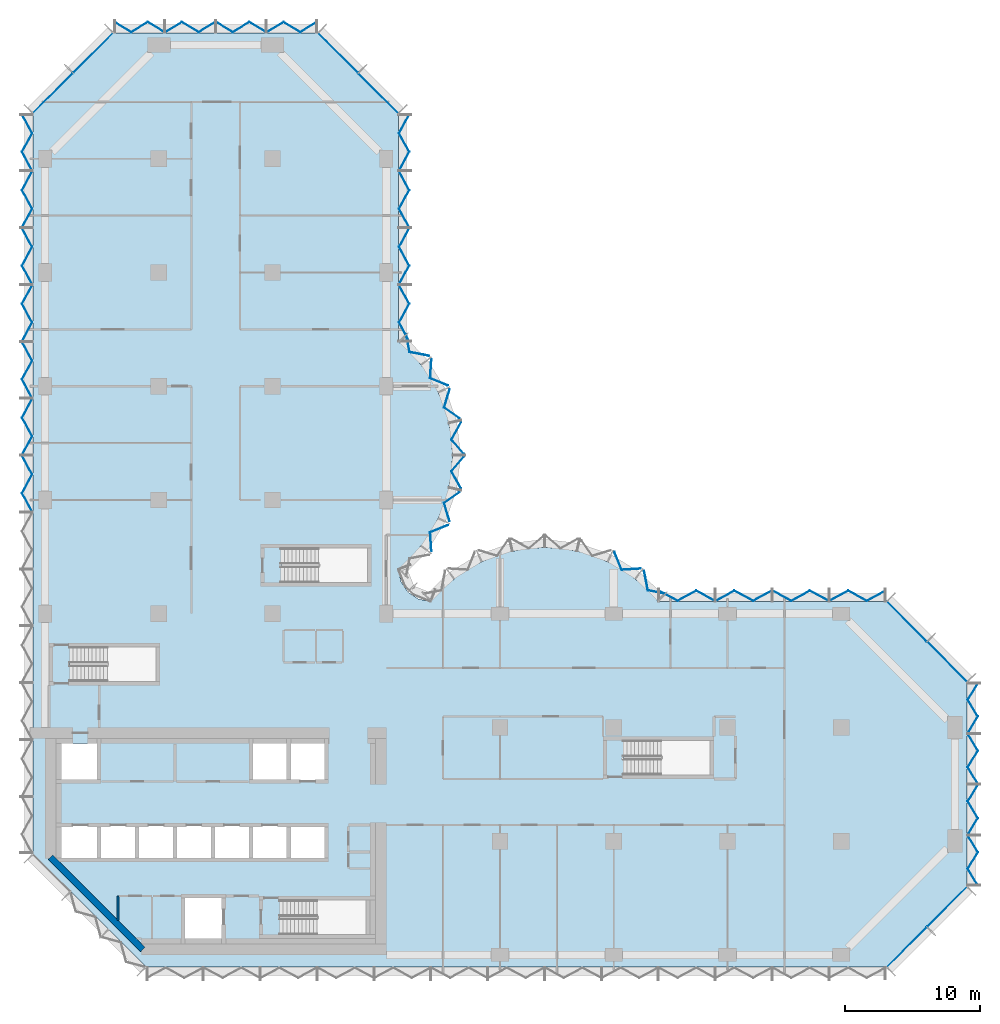
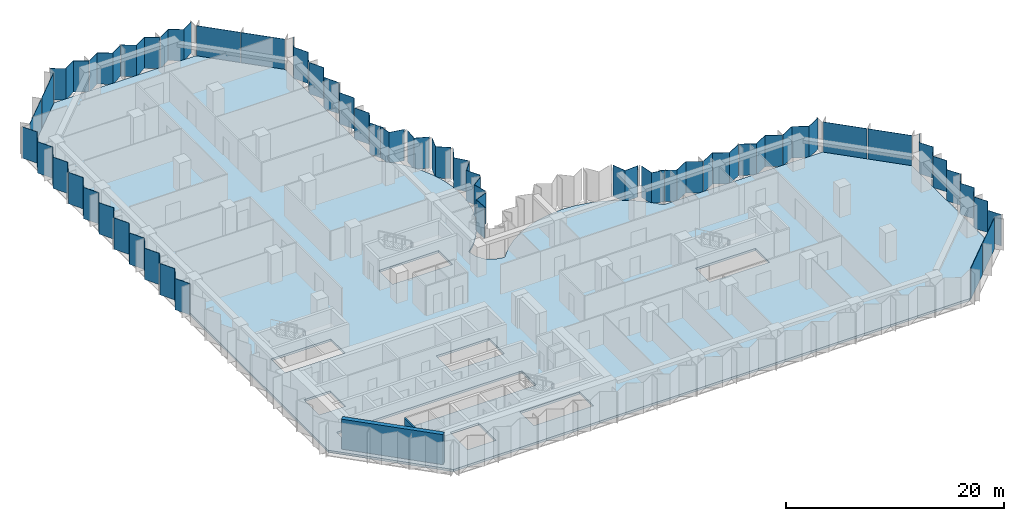
# One storey, part 6 of 13: 40 plates, 2 walls, 1 slab, 11 elements without a shape of their own.
"""IFC4 building model written with IfcOpenShell, lengths in metres."""

from ifc_helpers import new_model, si_unit, direction, frame, frame_2d, origin, place, context, subcontext, project, spatial, polyline, rectangle, outline, extrude, material, layer, layer_set, type_object, element, aggregate, save


model = new_model("IFC4")

# Units and contexts
model_context = context("Model", 3, precision=1e-05, world=origin(), true_north=direction((0.0, 1.0)))
body_context = subcontext(model_context, "Body", "Model", "MODEL_VIEW")
ifc_project = project(units=[si_unit("LENGTHUNIT", "METRE"), si_unit("AREAUNIT", "SQUARE_METRE"), si_unit("VOLUMEUNIT", "CUBIC_METRE"), si_unit("PLANEANGLEUNIT", "RADIAN"), si_unit("MASSUNIT", "GRAM", prefix="KILO")], contexts=[model_context])

# Site, building, storey
site_placement = place(None, origin())
site = spatial("IfcSite", under=ifc_project, at=site_placement, CompositionType="ELEMENT")
building_placement = place(site_placement, origin())
building = spatial("IfcBuilding", under=site, at=building_placement, Name="Brevane Broadcast Tower", CompositionType="ELEMENT")
storey_placement = place(building_placement, frame((0.0, 0.0, 124.10009765625)))
storey = spatial("IfcBuildingStorey", under=building, at=storey_placement, Name="L30", CompositionType="ELEMENT", Elevation=124.10009765625)

# Curtain wall, plates
ifc_material_1 = material(Name="Aluminium 6063-T6 bronze anodised", Category="aluminium")
curtain_wall_type = type_object("IfcCurtainWallType", Name="CW-1 curtain wall", PredefinedType="NOTDEFINED", material=ifc_material_1)
curtain_wall_1_placement = place(storey_placement, origin())
curtain_wall_1 = element("IfcCurtainWall", 1, at=curtain_wall_1_placement, inside=storey, type_object=curtain_wall_type, Name="CW-1 typical tilted unit L30 south-east chamfer", PredefinedType="NOTDEFINED")
ifc_material_2 = material(Name="Laminated glass bronze-tinted", Category="glass")
ifc_layer_1 = layer(ifc_material_2, 0.0400390625)
ifc_layer_set_1 = layer_set([ifc_layer_1], Name="CW tall glass panel 40")
plate_type = type_object("IfcPlateType", Name="CW tall glass panel 40", PredefinedType="CURTAIN_PANEL", material=ifc_layer_set_1)
plate_1_placement = place(storey_placement, frame((0.0, 0.0, -0.150146484375)))
plate_1 = element("IfcPlate", 2, at=plate_1_placement, type_object=plate_type, Name="CW-1 glass panel", PredefinedType="CURTAIN_PANEL", context=body_context, shape_type="SweptSolid", body=[
    extrude(outline(polyline([(62.14599609375, -0.896484375), (65.096435546875, 2.053955078125), (65.124755859375, 2.02587890625), (62.17431640625, -0.9248046875), (62.14599609375, -0.896484375)])), origin(), (0.0, 0.0, 1.0), 3.5),
])
plate_2_placement = place(storey_placement, frame((0.0, 0.0, -0.150146484375)))
plate_2 = element("IfcPlate", 3, at=plate_2_placement, type_object=plate_type, Name="CW-1 glass panel", PredefinedType="CURTAIN_PANEL", context=body_context, shape_type="SweptSolid", body=[
    extrude(outline(polyline([(65.14599609375, 2.103515625), (68.096435546875, 5.053955078125), (68.124755859375, 5.02587890625), (65.17431640625, 2.0751953125), (65.14599609375, 2.103515625)])), origin(), (0.0, 0.0, 1.0), 3.5),
])
aggregate(curtain_wall_1, [plate_1, plate_2])

curtain_wall_2_placement = place(storey_placement, origin())
curtain_wall_2 = element("IfcCurtainWall", 4, at=curtain_wall_2_placement, inside=storey, type_object=curtain_wall_type, Name="CW-1 typical tilted unit L30 east end", PredefinedType="NOTDEFINED")
plate_3_placement = place(storey_placement, frame((0.0, 0.0, -0.150146484375)))
plate_3 = element("IfcPlate", 5, at=plate_3_placement, type_object=plate_type, Name="CW-1 glass panel", PredefinedType="CURTAIN_PANEL", context=body_context, shape_type="SweptSolid", body=[
    extrude(outline(polyline([(68.87109375, 5.135009765625), (68.917724609375, 5.135009765625), (68.17333984375, 6.36181640625), (68.917724609375, 7.58837890625), (68.17333984375, 8.81494140625), (68.126708984375, 8.81494140625), (68.87109375, 7.58837890625), (68.126708984375, 6.36181640625), (68.87109375, 5.135009765625)])), origin(), (0.0, 0.0, 1.0), 3.5),
])
plate_4_placement = place(storey_placement, frame((0.0, 0.0, -0.150146484375)))
plate_4 = element("IfcPlate", 6, at=plate_4_placement, type_object=plate_type, Name="CW-1 glass panel", PredefinedType="CURTAIN_PANEL", context=body_context, shape_type="SweptSolid", body=[
    extrude(outline(polyline([(68.126708984375, 8.885009765625), (68.17333984375, 8.885009765625), (68.917724609375, 10.11181640625), (68.17333984375, 11.33837890625), (68.917724609375, 12.56494140625), (68.87109375, 12.56494140625), (68.126708984375, 11.33837890625), (68.87109375, 10.11181640625), (68.126708984375, 8.885009765625)])), origin(), (0.0, 0.0, 1.0), 3.5),
])
plate_5_placement = place(storey_placement, frame((0.0, 0.0, -0.150146484375)))
plate_5 = element("IfcPlate", 7, at=plate_5_placement, type_object=plate_type, Name="CW-1 glass panel", PredefinedType="CURTAIN_PANEL", context=body_context, shape_type="SweptSolid", body=[
    extrude(outline(polyline([(68.87109375, 12.635009765625), (68.917724609375, 12.635009765625), (68.17333984375, 13.86181640625), (68.917724609375, 15.08837890625), (68.17333984375, 16.31494140625), (68.126708984375, 16.31494140625), (68.87109375, 15.08837890625), (68.126708984375, 13.86181640625), (68.87109375, 12.635009765625)])), origin(), (0.0, 0.0, 1.0), 3.5),
])
plate_6_placement = place(storey_placement, frame((0.0, 0.0, -0.150146484375)))
plate_6 = element("IfcPlate", 8, at=plate_6_placement, type_object=plate_type, Name="CW-1 glass panel", PredefinedType="CURTAIN_PANEL", context=body_context, shape_type="SweptSolid", body=[
    extrude(outline(polyline([(68.126708984375, 16.385009765625), (68.17333984375, 16.385009765625), (68.917724609375, 17.61181640625), (68.17333984375, 18.83837890625), (68.917724609375, 20.06494140625), (68.87109375, 20.06494140625), (68.126708984375, 18.83837890625), (68.87109375, 17.61181640625), (68.126708984375, 16.385009765625)])), origin(), (0.0, 0.0, 1.0), 3.5),
])
aggregate(curtain_wall_2, [plate_3, plate_4, plate_5, plate_6])

curtain_wall_3_placement = place(storey_placement, origin())
curtain_wall_3 = element("IfcCurtainWall", 9, at=curtain_wall_3_placement, inside=storey, type_object=curtain_wall_type, Name="CW-1 typical tilted unit L30 north-east chamfer", PredefinedType="NOTDEFINED")
plate_7_placement = place(storey_placement, frame((0.0, 0.0, -0.150146484375)))
plate_7 = element("IfcPlate", 10, at=plate_7_placement, type_object=plate_type, Name="CW-1 glass panel", PredefinedType="CURTAIN_PANEL", context=body_context, shape_type="SweptSolid", body=[
    extrude(outline(polyline([(68.096435546875, 20.14599609375), (65.14599609375, 23.096435546875), (65.17431640625, 23.124755859375), (68.124755859375, 20.17431640625), (68.096435546875, 20.14599609375)])), origin(), (0.0, 0.0, 1.0), 3.5),
])
plate_8_placement = place(storey_placement, frame((0.0, 0.0, -0.150146484375)))
plate_8 = element("IfcPlate", 11, at=plate_8_placement, type_object=plate_type, Name="CW-1 glass panel", PredefinedType="CURTAIN_PANEL", context=body_context, shape_type="SweptSolid", body=[
    extrude(outline(polyline([(65.096435546875, 23.14599609375), (62.14599609375, 26.096435546875), (62.17431640625, 26.124755859375), (65.124755859375, 23.17431640625), (65.096435546875, 23.14599609375)])), origin(), (0.0, 0.0, 1.0), 3.5),
])
aggregate(curtain_wall_3, [plate_7, plate_8])

curtain_wall_4_placement = place(storey_placement, origin())
curtain_wall_4 = element("IfcCurtainWall", 12, at=curtain_wall_4_placement, inside=storey, type_object=curtain_wall_type, Name="CW-1 typical tilted unit L30 east arm north face", PredefinedType="NOTDEFINED")
plate_9_placement = place(storey_placement, frame((0.0, 0.0, -0.150146484375)))
plate_9 = element("IfcPlate", 13, at=plate_9_placement, type_object=plate_type, Name="CW-1 glass panel", PredefinedType="CURTAIN_PANEL", context=body_context, shape_type="SweptSolid", body=[
    extrude(outline(polyline([(62.06494140625, 26.87158203125), (62.06494140625, 26.9169921875), (60.688232421875, 26.172607421875), (59.311767578125, 26.9169921875), (57.93505859375, 26.172607421875), (57.93505859375, 26.127197265625), (59.311767578125, 26.87158203125), (60.688232421875, 26.127197265625), (62.06494140625, 26.87158203125)])), origin(), (0.0, 0.0, 1.0), 3.5),
])
plate_10_placement = place(storey_placement, frame((0.0, 0.0, -0.150146484375)))
plate_10 = element("IfcPlate", 14, at=plate_10_placement, type_object=plate_type, Name="CW-1 glass panel", PredefinedType="CURTAIN_PANEL", context=body_context, shape_type="SweptSolid", body=[
    extrude(outline(polyline([(57.864990234375, 26.127197265625), (57.864990234375, 26.172607421875), (56.48828125, 26.9169921875), (55.11181640625, 26.172607421875), (53.735107421875, 26.9169921875), (53.735107421875, 26.87158203125), (55.11181640625, 26.127197265625), (56.48828125, 26.87158203125), (57.864990234375, 26.127197265625)])), origin(), (0.0, 0.0, 1.0), 3.5),
])
plate_11_placement = place(storey_placement, frame((0.0, 0.0, -0.150146484375)))
plate_11 = element("IfcPlate", 15, at=plate_11_placement, type_object=plate_type, Name="CW-1 glass panel", PredefinedType="CURTAIN_PANEL", context=body_context, shape_type="SweptSolid", body=[
    extrude(outline(polyline([(53.6650390625, 26.87158203125), (53.6650390625, 26.9169921875), (52.288330078125, 26.172607421875), (50.91162109375, 26.9169921875), (49.534912109375, 26.172607421875), (49.534912109375, 26.127197265625), (50.91162109375, 26.87158203125), (52.288330078125, 26.127197265625), (53.6650390625, 26.87158203125)])), origin(), (0.0, 0.0, 1.0), 3.5),
])
plate_12_placement = place(storey_placement, frame((0.0, 0.0, -0.150146484375)))
plate_12 = element("IfcPlate", 16, at=plate_12_placement, type_object=plate_type, Name="CW-1 glass panel", PredefinedType="CURTAIN_PANEL", context=body_context, shape_type="SweptSolid", body=[
    extrude(outline(polyline([(49.465087890625, 26.127197265625), (49.465087890625, 26.172607421875), (48.08837890625, 26.9169921875), (46.711669921875, 26.172607421875), (45.3349609375, 26.9169921875), (45.3349609375, 26.87158203125), (46.711669921875, 26.127197265625), (48.08837890625, 26.87158203125), (49.465087890625, 26.127197265625)])), origin(), (0.0, 0.0, 1.0), 3.5),
])
aggregate(curtain_wall_4, [plate_9, plate_10, plate_11, plate_12])

curtain_wall_5_placement = place(storey_placement, origin())
curtain_wall_5 = element("IfcCurtainWall", 17, at=curtain_wall_5_placement, inside=storey, type_object=curtain_wall_type, Name="CW-1 typical tilted unit L30 east bow", PredefinedType="NOTDEFINED")
plate_13_placement = place(storey_placement, frame((0.0, 0.0, -0.150146484375)))
plate_13 = element("IfcPlate", 18, at=plate_13_placement, type_object=plate_type, Name="CW-1 glass panel", PredefinedType="CURTAIN_PANEL", context=body_context, shape_type="SweptSolid", body=[
    extrude(outline(polyline([(45.79150390625, 26.656005859375), (45.82470703125, 26.690185546875), (44.539306640625, 26.9423828125), (44.263916015625, 28.3857421875), (44.231201171875, 28.34375), (44.5048828125, 26.908203125), (45.79150390625, 26.656005859375)])), origin(), (0.0, 0.0, 1.0), 3.5),
])
plate_14_placement = place(storey_placement, frame((0.0, 0.0, -0.150146484375)))
plate_14 = element("IfcPlate", 19, at=plate_14_placement, type_object=plate_type, Name="CW-1 glass panel", PredefinedType="CURTAIN_PANEL", context=body_context, shape_type="SweptSolid", body=[
    extrude(outline(polyline([(43.950439453125, 28.5087890625), (43.9833984375, 28.551025390625), (42.601318359375, 28.462890625), (42.0703125, 29.76171875), (42.046875, 29.712890625), (42.5751953125, 28.42138671875), (43.950439453125, 28.5087890625)])), origin(), (0.0, 0.0, 1.0), 3.5),
])
aggregate(curtain_wall_5, [plate_13, plate_14])

curtain_wall_6_placement = place(storey_placement, origin())
curtain_wall_6 = element("IfcCurtainWall", 20, at=curtain_wall_6_placement, inside=storey, type_object=curtain_wall_type, Name="CW-1 typical tilted unit L30 north bow", PredefinedType="NOTDEFINED")
plate_15_placement = place(storey_placement, frame((0.0, 0.0, -0.150146484375)))
plate_15 = element("IfcPlate", 21, at=plate_15_placement, type_object=plate_type, Name="CW-1 glass panel", PredefinedType="CURTAIN_PANEL", context=body_context, shape_type="SweptSolid", body=[
    extrude(outline(polyline([(28.5087890625, 29.849609375), (28.551025390625, 29.816650390625), (28.462890625, 31.198486328125), (29.76171875, 31.729736328125), (29.712890625, 31.753173828125), (28.42138671875, 31.224609375), (28.5087890625, 29.849609375)])), origin(), (0.0, 0.0, 1.0), 3.5),
])
plate_16_placement = place(storey_placement, frame((0.0, 0.0, -0.150146484375)))
plate_16 = element("IfcPlate", 22, at=plate_16_placement, type_object=plate_type, Name="CW-1 glass panel", PredefinedType="CURTAIN_PANEL", context=body_context, shape_type="SweptSolid", body=[
    extrude(outline(polyline([(29.851806640625, 32.044677734375), (29.900634765625, 32.021484375), (29.494384765625, 33.364501953125), (30.622802734375, 34.167236328125), (30.57080078125, 34.17919921875), (29.44775390625, 33.380615234375), (29.851806640625, 32.044677734375)])), origin(), (0.0, 0.0, 1.0), 3.5),
])
plate_17_placement = place(storey_placement, frame((0.0, 0.0, -0.150146484375)))
plate_17 = element("IfcPlate", 23, at=plate_17_placement, type_object=plate_type, Name="CW-1 glass panel", PredefinedType="CURTAIN_PANEL", context=body_context, shape_type="SweptSolid", body=[
    extrude(outline(polyline([(30.68798828125, 34.483642578125), (30.740478515625, 34.4716796875), (30.036376953125, 35.730224609375), (30.94921875, 36.7919921875), (30.896484375, 36.7919921875), (29.98779296875, 35.735107421875), (30.68798828125, 34.483642578125)])), origin(), (0.0, 0.0, 1.0), 3.5),
])
plate_18_placement = place(storey_placement, frame((0.0, 0.0, -0.150146484375)))
plate_18 = element("IfcPlate", 24, at=plate_18_placement, type_object=plate_type, Name="CW-1 glass panel", PredefinedType="CURTAIN_PANEL", context=body_context, shape_type="SweptSolid", body=[
    extrude(outline(polyline([(30.896484375, 37.008056640625), (30.94921875, 37.008056640625), (30.036376953125, 38.069580078125), (30.740478515625, 39.328369140625), (30.68798828125, 39.31640625), (29.98779296875, 38.064697265625), (30.896484375, 37.008056640625)])), origin(), (0.0, 0.0, 1.0), 3.5),
])
plate_19_placement = place(storey_placement, frame((0.0, 0.0, -0.150146484375)))
plate_19 = element("IfcPlate", 25, at=plate_19_placement, type_object=plate_type, Name="CW-1 glass panel", PredefinedType="CURTAIN_PANEL", context=body_context, shape_type="SweptSolid", body=[
    extrude(outline(polyline([(30.57080078125, 39.62060546875), (30.622802734375, 39.6328125), (29.494384765625, 40.435546875), (29.900634765625, 41.778564453125), (29.851806640625, 41.75537109375), (29.44775390625, 40.41943359375), (30.57080078125, 39.62060546875)])), origin(), (0.0, 0.0, 1.0), 3.5),
])
plate_20_placement = place(storey_placement, frame((0.0, 0.0, -0.150146484375)))
plate_20 = element("IfcPlate", 26, at=plate_20_placement, type_object=plate_type, Name="CW-1 glass panel", PredefinedType="CURTAIN_PANEL", context=body_context, shape_type="SweptSolid", body=[
    extrude(outline(polyline([(29.712890625, 42.046875), (29.76171875, 42.0703125), (28.462890625, 42.601318359375), (28.551025390625, 43.9833984375), (28.5087890625, 43.950439453125), (28.42138671875, 42.5751953125), (29.712890625, 42.046875)])), origin(), (0.0, 0.0, 1.0), 3.5),
])
plate_21_placement = place(storey_placement, frame((0.0, 0.0, -0.150146484375)))
plate_21 = element("IfcPlate", 27, at=plate_21_placement, type_object=plate_type, Name="CW-1 glass panel", PredefinedType="CURTAIN_PANEL", context=body_context, shape_type="SweptSolid", body=[
    extrude(outline(polyline([(28.34375, 44.231201171875), (28.3857421875, 44.263916015625), (26.9423828125, 44.539306640625), (26.690185546875, 45.82470703125), (26.656005859375, 45.79150390625), (26.908203125, 44.5048828125), (28.34375, 44.231201171875)])), origin(), (0.0, 0.0, 1.0), 3.5),
])
aggregate(curtain_wall_6, [plate_15, plate_16, plate_17, plate_18, plate_19, plate_20, plate_21])

curtain_wall_7_placement = place(storey_placement, origin())
curtain_wall_7 = element("IfcCurtainWall", 28, at=curtain_wall_7_placement, inside=storey, type_object=curtain_wall_type, Name="CW-1 typical tilted unit L30 north arm east face", PredefinedType="NOTDEFINED")
plate_22_placement = place(storey_placement, frame((0.0, 0.0, -0.150146484375)))
plate_22 = element("IfcPlate", 29, at=plate_22_placement, type_object=plate_type, Name="CW-1 glass panel", PredefinedType="CURTAIN_PANEL", context=body_context, shape_type="SweptSolid", body=[
    extrude(outline(polyline([(26.87158203125, 45.3349609375), (26.9169921875, 45.3349609375), (26.172607421875, 46.711669921875), (26.9169921875, 48.08837890625), (26.172607421875, 49.465087890625), (26.127197265625, 49.465087890625), (26.87158203125, 48.08837890625), (26.127197265625, 46.711669921875), (26.87158203125, 45.3349609375)])), origin(), (0.0, 0.0, 1.0), 3.5),
])
plate_23_placement = place(storey_placement, frame((0.0, 0.0, -0.150146484375)))
plate_23 = element("IfcPlate", 30, at=plate_23_placement, type_object=plate_type, Name="CW-1 glass panel", PredefinedType="CURTAIN_PANEL", context=body_context, shape_type="SweptSolid", body=[
    extrude(outline(polyline([(26.127197265625, 49.534912109375), (26.172607421875, 49.534912109375), (26.9169921875, 50.91162109375), (26.172607421875, 52.288330078125), (26.9169921875, 53.6650390625), (26.87158203125, 53.6650390625), (26.127197265625, 52.288330078125), (26.87158203125, 50.91162109375), (26.127197265625, 49.534912109375)])), origin(), (0.0, 0.0, 1.0), 3.5),
])
plate_24_placement = place(storey_placement, frame((0.0, 0.0, -0.150146484375)))
plate_24 = element("IfcPlate", 31, at=plate_24_placement, type_object=plate_type, Name="CW-1 glass panel", PredefinedType="CURTAIN_PANEL", context=body_context, shape_type="SweptSolid", body=[
    extrude(outline(polyline([(26.87158203125, 53.735107421875), (26.9169921875, 53.735107421875), (26.172607421875, 55.11181640625), (26.9169921875, 56.48828125), (26.172607421875, 57.864990234375), (26.127197265625, 57.864990234375), (26.87158203125, 56.48828125), (26.127197265625, 55.11181640625), (26.87158203125, 53.735107421875)])), origin(), (0.0, 0.0, 1.0), 3.5),
])
plate_25_placement = place(storey_placement, frame((0.0, 0.0, -0.150146484375)))
plate_25 = element("IfcPlate", 32, at=plate_25_placement, type_object=plate_type, Name="CW-1 glass panel", PredefinedType="CURTAIN_PANEL", context=body_context, shape_type="SweptSolid", body=[
    extrude(outline(polyline([(26.127197265625, 57.93505859375), (26.172607421875, 57.93505859375), (26.9169921875, 59.311767578125), (26.172607421875, 60.688232421875), (26.9169921875, 62.06494140625), (26.87158203125, 62.06494140625), (26.127197265625, 60.688232421875), (26.87158203125, 59.311767578125), (26.127197265625, 57.93505859375)])), origin(), (0.0, 0.0, 1.0), 3.5),
])
aggregate(curtain_wall_7, [plate_22, plate_23, plate_24, plate_25])

curtain_wall_8_placement = place(storey_placement, origin())
curtain_wall_8 = element("IfcCurtainWall", 33, at=curtain_wall_8_placement, inside=storey, type_object=curtain_wall_type, Name="CW-1 typical tilted unit L30 north arm north-east chamfer", PredefinedType="NOTDEFINED")
plate_26_placement = place(storey_placement, frame((0.0, 0.0, -0.150146484375)))
plate_26 = element("IfcPlate", 34, at=plate_26_placement, type_object=plate_type, Name="CW-1 glass panel", PredefinedType="CURTAIN_PANEL", context=body_context, shape_type="SweptSolid", body=[
    extrude(outline(polyline([(26.096435546875, 62.14599609375), (23.14599609375, 65.096435546875), (23.17431640625, 65.124755859375), (26.124755859375, 62.17431640625), (26.096435546875, 62.14599609375)])), origin(), (0.0, 0.0, 1.0), 3.5),
])
plate_27_placement = place(storey_placement, frame((0.0, 0.0, -0.150146484375)))
plate_27 = element("IfcPlate", 35, at=plate_27_placement, type_object=plate_type, Name="CW-1 glass panel", PredefinedType="CURTAIN_PANEL", context=body_context, shape_type="SweptSolid", body=[
    extrude(outline(polyline([(23.096435546875, 65.14599609375), (20.14599609375, 68.096435546875), (20.17431640625, 68.124755859375), (23.124755859375, 65.17431640625), (23.096435546875, 65.14599609375)])), origin(), (0.0, 0.0, 1.0), 3.5),
])
aggregate(curtain_wall_8, [plate_26, plate_27])

curtain_wall_9_placement = place(storey_placement, origin())
curtain_wall_9 = element("IfcCurtainWall", 36, at=curtain_wall_9_placement, inside=storey, type_object=curtain_wall_type, Name="CW-1 typical tilted unit L30 north end", PredefinedType="NOTDEFINED")
plate_28_placement = place(storey_placement, frame((0.0, 0.0, -0.150146484375)))
plate_28 = element("IfcPlate", 37, at=plate_28_placement, type_object=plate_type, Name="CW-1 glass panel", PredefinedType="CURTAIN_PANEL", context=body_context, shape_type="SweptSolid", body=[
    extrude(outline(polyline([(20.06494140625, 68.87109375), (20.06494140625, 68.917724609375), (18.83837890625, 68.17333984375), (17.61181640625, 68.917724609375), (16.385009765625, 68.17333984375), (16.385009765625, 68.126708984375), (17.61181640625, 68.87109375), (18.83837890625, 68.126708984375), (20.06494140625, 68.87109375)])), origin(), (0.0, 0.0, 1.0), 3.5),
])
plate_29_placement = place(storey_placement, frame((0.0, 0.0, -0.150146484375)))
plate_29 = element("IfcPlate", 38, at=plate_29_placement, type_object=plate_type, Name="CW-1 glass panel", PredefinedType="CURTAIN_PANEL", context=body_context, shape_type="SweptSolid", body=[
    extrude(outline(polyline([(16.31494140625, 68.126708984375), (16.31494140625, 68.17333984375), (15.08837890625, 68.917724609375), (13.86181640625, 68.17333984375), (12.635009765625, 68.917724609375), (12.635009765625, 68.87109375), (13.86181640625, 68.126708984375), (15.08837890625, 68.87109375), (16.31494140625, 68.126708984375)])), origin(), (0.0, 0.0, 1.0), 3.5),
])
plate_30_placement = place(storey_placement, frame((0.0, 0.0, -0.150146484375)))
plate_30 = element("IfcPlate", 39, at=plate_30_placement, type_object=plate_type, Name="CW-1 glass panel", PredefinedType="CURTAIN_PANEL", context=body_context, shape_type="SweptSolid", body=[
    extrude(outline(polyline([(12.56494140625, 68.87109375), (12.56494140625, 68.917724609375), (11.33837890625, 68.17333984375), (10.11181640625, 68.917724609375), (8.885009765625, 68.17333984375), (8.885009765625, 68.126708984375), (10.11181640625, 68.87109375), (11.33837890625, 68.126708984375), (12.56494140625, 68.87109375)])), origin(), (0.0, 0.0, 1.0), 3.5),
])
plate_31_placement = place(storey_placement, frame((0.0, 0.0, -0.150146484375)))
plate_31 = element("IfcPlate", 40, at=plate_31_placement, type_object=plate_type, Name="CW-1 glass panel", PredefinedType="CURTAIN_PANEL", context=body_context, shape_type="SweptSolid", body=[
    extrude(outline(polyline([(8.81494140625, 68.126708984375), (8.81494140625, 68.17333984375), (7.58837890625, 68.917724609375), (6.36181640625, 68.17333984375), (5.135009765625, 68.917724609375), (5.135009765625, 68.87109375), (6.36181640625, 68.126708984375), (7.58837890625, 68.87109375), (8.81494140625, 68.126708984375)])), origin(), (0.0, 0.0, 1.0), 3.5),
])
aggregate(curtain_wall_9, [plate_28, plate_29, plate_30, plate_31])

curtain_wall_10_placement = place(storey_placement, origin())
curtain_wall_10 = element("IfcCurtainWall", 41, at=curtain_wall_10_placement, inside=storey, type_object=curtain_wall_type, Name="CW-1 typical tilted unit L30 north-west chamfer", PredefinedType="NOTDEFINED")
plate_32_placement = place(storey_placement, frame((0.0, 0.0, -0.150146484375)))
plate_32 = element("IfcPlate", 42, at=plate_32_placement, type_object=plate_type, Name="CW-1 glass panel", PredefinedType="CURTAIN_PANEL", context=body_context, shape_type="SweptSolid", body=[
    extrude(outline(polyline([(5.053955078125, 68.096435546875), (2.103515625, 65.14599609375), (2.0751953125, 65.17431640625), (5.02587890625, 68.124755859375), (5.053955078125, 68.096435546875)])), origin(), (0.0, 0.0, 1.0), 3.5),
])
plate_33_placement = place(storey_placement, frame((0.0, 0.0, -0.150146484375)))
plate_33 = element("IfcPlate", 43, at=plate_33_placement, type_object=plate_type, Name="CW-1 glass panel", PredefinedType="CURTAIN_PANEL", context=body_context, shape_type="SweptSolid", body=[
    extrude(outline(polyline([(2.053955078125, 65.096435546875), (-0.896484375, 62.14599609375), (-0.9248046875, 62.17431640625), (2.02587890625, 65.124755859375), (2.053955078125, 65.096435546875)])), origin(), (0.0, 0.0, 1.0), 3.5),
])
aggregate(curtain_wall_10, [plate_32, plate_33])

curtain_wall_11_placement = place(storey_placement, origin())
curtain_wall_11 = element("IfcCurtainWall", 44, at=curtain_wall_11_placement, inside=storey, type_object=curtain_wall_type, Name="CW-1 typical tilted unit L30 west face", PredefinedType="NOTDEFINED")
plate_34_placement = place(storey_placement, frame((0.0, 0.0, -0.150146484375)))
plate_34 = element("IfcPlate", 45, at=plate_34_placement, type_object=plate_type, Name="CW-1 glass panel", PredefinedType="CURTAIN_PANEL", context=body_context, shape_type="SweptSolid", body=[
    extrude(outline(polyline([(-1.671630859375, 62.06494140625), (-1.717041015625, 62.06494140625), (-0.97265625, 60.688232421875), (-1.717041015625, 59.311767578125), (-0.97265625, 57.93505859375), (-0.92724609375, 57.93505859375), (-1.671630859375, 59.311767578125), (-0.92724609375, 60.688232421875), (-1.671630859375, 62.06494140625)])), origin(), (0.0, 0.0, 1.0), 3.5),
])
plate_35_placement = place(storey_placement, frame((0.0, 0.0, -0.150146484375)))
plate_35 = element("IfcPlate", 46, at=plate_35_placement, type_object=plate_type, Name="CW-1 glass panel", PredefinedType="CURTAIN_PANEL", context=body_context, shape_type="SweptSolid", body=[
    extrude(outline(polyline([(-0.92724609375, 57.864990234375), (-0.97265625, 57.864990234375), (-1.717041015625, 56.48828125), (-0.97265625, 55.11181640625), (-1.717041015625, 53.735107421875), (-1.671630859375, 53.735107421875), (-0.92724609375, 55.11181640625), (-1.671630859375, 56.48828125), (-0.92724609375, 57.864990234375)])), origin(), (0.0, 0.0, 1.0), 3.5),
])
plate_36_placement = place(storey_placement, frame((0.0, 0.0, -0.150146484375)))
plate_36 = element("IfcPlate", 47, at=plate_36_placement, type_object=plate_type, Name="CW-1 glass panel", PredefinedType="CURTAIN_PANEL", context=body_context, shape_type="SweptSolid", body=[
    extrude(outline(polyline([(-1.671630859375, 53.6650390625), (-1.717041015625, 53.6650390625), (-0.97265625, 52.288330078125), (-1.717041015625, 50.91162109375), (-0.97265625, 49.534912109375), (-0.92724609375, 49.534912109375), (-1.671630859375, 50.91162109375), (-0.92724609375, 52.288330078125), (-1.671630859375, 53.6650390625)])), origin(), (0.0, 0.0, 1.0), 3.5),
])
plate_37_placement = place(storey_placement, frame((0.0, 0.0, -0.150146484375)))
plate_37 = element("IfcPlate", 48, at=plate_37_placement, type_object=plate_type, Name="CW-1 glass panel", PredefinedType="CURTAIN_PANEL", context=body_context, shape_type="SweptSolid", body=[
    extrude(outline(polyline([(-0.92724609375, 49.465087890625), (-0.97265625, 49.465087890625), (-1.717041015625, 48.08837890625), (-0.97265625, 46.711669921875), (-1.717041015625, 45.3349609375), (-1.671630859375, 45.3349609375), (-0.92724609375, 46.711669921875), (-1.671630859375, 48.08837890625), (-0.92724609375, 49.465087890625)])), origin(), (0.0, 0.0, 1.0), 3.5),
])
plate_38_placement = place(storey_placement, frame((0.0, 0.0, -0.150146484375)))
plate_38 = element("IfcPlate", 49, at=plate_38_placement, type_object=plate_type, Name="CW-1 glass panel", PredefinedType="CURTAIN_PANEL", context=body_context, shape_type="SweptSolid", body=[
    extrude(outline(polyline([(-1.671630859375, 45.264892578125), (-1.717041015625, 45.264892578125), (-0.97265625, 43.88818359375), (-1.717041015625, 42.51171875), (-0.97265625, 41.135009765625), (-0.92724609375, 41.135009765625), (-1.671630859375, 42.51171875), (-0.92724609375, 43.88818359375), (-1.671630859375, 45.264892578125)])), origin(), (0.0, 0.0, 1.0), 3.5),
])
plate_39_placement = place(storey_placement, frame((0.0, 0.0, -0.150146484375)))
plate_39 = element("IfcPlate", 50, at=plate_39_placement, type_object=plate_type, Name="CW-1 glass panel", PredefinedType="CURTAIN_PANEL", context=body_context, shape_type="SweptSolid", body=[
    extrude(outline(polyline([(-0.92724609375, 41.06494140625), (-0.97265625, 41.06494140625), (-1.717041015625, 39.688232421875), (-0.97265625, 38.311767578125), (-1.717041015625, 36.93505859375), (-1.671630859375, 36.93505859375), (-0.92724609375, 38.311767578125), (-1.671630859375, 39.688232421875), (-0.92724609375, 41.06494140625)])), origin(), (0.0, 0.0, 1.0), 3.5),
])
plate_40_placement = place(storey_placement, frame((0.0, 0.0, -0.150146484375)))
plate_40 = element("IfcPlate", 51, at=plate_40_placement, type_object=plate_type, Name="CW-1 glass panel", PredefinedType="CURTAIN_PANEL", context=body_context, shape_type="SweptSolid", body=[
    extrude(outline(polyline([(-1.671630859375, 36.864990234375), (-1.717041015625, 36.864990234375), (-0.97265625, 35.48828125), (-1.717041015625, 34.11181640625), (-0.97265625, 32.735107421875), (-0.92724609375, 32.735107421875), (-1.671630859375, 34.11181640625), (-0.92724609375, 35.48828125), (-1.671630859375, 36.864990234375)])), origin(), (0.0, 0.0, 1.0), 3.5),
])
aggregate(curtain_wall_11, [plate_34, plate_35, plate_36, plate_37, plate_38, plate_39, plate_40])

# Slab
ifc_material_3 = material(Name="Concrete C40/50", Category="concrete")
ifc_layer_2 = layer(ifc_material_3, 0.25)
ifc_layer_set_2 = layer_set([ifc_layer_2], Name="RC FLOOR SLAB 250 C40/50")
slab_type = type_object("IfcSlabType", Name="RC FLOOR SLAB 250 C40/50", PredefinedType="FLOOR", material=ifc_layer_set_2)
slab_placement = place(storey_placement, frame((0.0, 0.0, -0.25)))
element("IfcSlab", 52, at=slab_placement, inside=storey, type_object=slab_type, Name="SL250 L30", PredefinedType="FLOOR", context=body_context, shape_type="SweptSolid", body=[
    extrude(outline(polyline([(-0.89990234375, 7.5), (-0.89990234375, 62.10009765625), (5.10009765625, 68.10009765625), (20.10009765625, 68.10009765625), (26.10009765625, 62.10009765625), (26.10009765625, 45.300048828125), (27.10888671875, 44.36865234375), (27.99169921875, 43.317138671875), (28.734130859375, 42.162353515625), (29.324462890625, 40.922607421875), (29.7529296875, 39.618408203125), (30.012939453125, 38.270263671875), (30.10009765625, 36.89990234375), (30.012939453125, 35.52978515625), (29.7529296875, 34.181640625), (29.324462890625, 32.877197265625), (28.734130859375, 31.6376953125), (27.99169921875, 30.48291015625), (27.10888671875, 29.431396484375), (26.10009765625, 28.5), (26.28271484375, 27.58154296875), (26.802978515625, 26.802978515625), (27.58154296875, 26.28271484375), (28.5, 26.10009765625), (29.431396484375, 27.10888671875), (30.48291015625, 27.99169921875), (31.6376953125, 28.734130859375), (32.877197265625, 29.324462890625), (34.181640625, 29.7529296875), (35.52978515625, 30.012939453125), (36.89990234375, 30.10009765625), (38.270263671875, 30.012939453125), (39.618408203125, 29.7529296875), (40.922607421875, 29.324462890625), (42.162353515625, 28.734130859375), (43.317138671875, 27.99169921875), (44.36865234375, 27.10888671875), (45.300048828125, 26.10009765625), (62.10009765625, 26.10009765625), (68.10009765625, 20.10009765625), (68.10009765625, 5.10009765625), (62.10009765625, -0.89990234375), (7.5, -0.89990234375), (-0.89990234375, 7.5)]), holes=[polyline([(13.199951171875, 4.39990234375), (10.199951171875, 4.39990234375), (10.199951171875, 1.199951171875), (13.199951171875, 1.199951171875), (13.199951171875, 4.39990234375)]), polyline([(4.0, 9.60009765625), (1.199951171875, 9.60009765625), (1.199951171875, 7.0), (4.0, 7.0), (6.800048828125, 7.0), (9.60009765625, 7.0), (12.39990234375, 7.0), (15.199951171875, 7.0), (18.0, 7.0), (20.800048828125, 7.0), (20.800048828125, 9.60009765625), (18.0, 9.60009765625), (15.199951171875, 9.60009765625), (12.39990234375, 9.60009765625), (9.60009765625, 9.60009765625), (6.800048828125, 9.60009765625), (4.0, 9.60009765625)]), polyline([(4.0, 12.800048828125), (4.0, 15.60009765625), (1.199951171875, 15.60009765625), (1.199951171875, 12.800048828125), (4.0, 12.800048828125)]), polyline([(8.199951171875, 22.75), (1.860107421875, 22.75), (1.860107421875, 20.199951171875), (8.199951171875, 20.199951171875), (8.199951171875, 22.75)]), polyline([(23.699951171875, 4.050048828125), (17.360107421875, 4.050048828125), (17.360107421875, 1.5), (23.699951171875, 1.5), (23.699951171875, 4.050048828125)]), polyline([(18.0, 15.60009765625), (15.199951171875, 15.60009765625), (15.199951171875, 12.800048828125), (18.0, 12.800048828125), (20.800048828125, 12.800048828125), (20.800048828125, 15.60009765625), (18.0, 15.60009765625)]), polyline([(49.10009765625, 15.85009765625), (42.760009765625, 15.85009765625), (42.760009765625, 13.300048828125), (49.10009765625, 13.300048828125), (49.10009765625, 15.85009765625)]), polyline([(23.800048828125, 30.050048828125), (17.4599609375, 30.050048828125), (17.4599609375, 27.5), (23.800048828125, 27.5), (23.800048828125, 30.050048828125)])]), origin(), (0.0, 0.0, 1.0), 0.25),
])

# Walls
ifc_material_4 = material(Name="Gypsum board on steel studs", Category="steel")
ifc_layer_3 = layer(ifc_material_4, 0.14990234375)
ifc_layer_set_3 = layer_set([ifc_layer_3], Name="Core fire partition 150 mm")
wall_type_1 = type_object("IfcWallType", Name="Core fire partition 150 mm", PredefinedType="PARTITIONING", material=ifc_layer_set_3)
wall_1_placement = place(storey_placement, frame((5.39990234375, 2.553466796875, 0.0), z_axis=(0.0, 0.0, 1.0), x_axis=(0.0, 1.0, 0.0)))
element("IfcWall", 53, at=wall_1_placement, inside=storey, type_object=wall_type_1, Name="L30 partition wall P10", PredefinedType="PARTITIONING", context=body_context, shape_type="SweptSolid", body=[
    extrude(rectangle(XDim=1.796630859375, YDim=0.14990234375, at=frame_2d((0.8984375, 0.0))), origin(), (0.0, 0.0, 1.0), 3.349853515625),
])
ifc_material_5 = material(Name="Concrete C60/75", Category="concrete")
ifc_layer_4 = layer(ifc_material_5, 0.449951171875)
ifc_layer_set_4 = layer_set([ifc_layer_4], Name="Core wall 450 mm C60/75")
wall_type_2 = type_object("IfcWallType", Name="Core wall 450 mm C60/75", PredefinedType="SHEAR", material=ifc_layer_set_4)
wall_2_placement = place(storey_placement, frame((0.39990234375, 7.21826171875, 0.0), z_axis=(0.0, 0.0, 1.0), x_axis=(0.707106781187, -0.707106781187, 0.0)))
element("IfcWall", 54, at=wall_2_placement, inside=storey, type_object=wall_type_2, Name="L30 outer wall WC", PredefinedType="SHEAR", context=body_context, shape_type="SweptSolid", body=[
    extrude(rectangle(XDim=9.642578125, YDim=0.449951171875, at=frame_2d((4.8212890625, 0.0))), origin(), (0.0, 0.0, 1.0), 3.349853515625),
])

save(model, "model.ifc")
